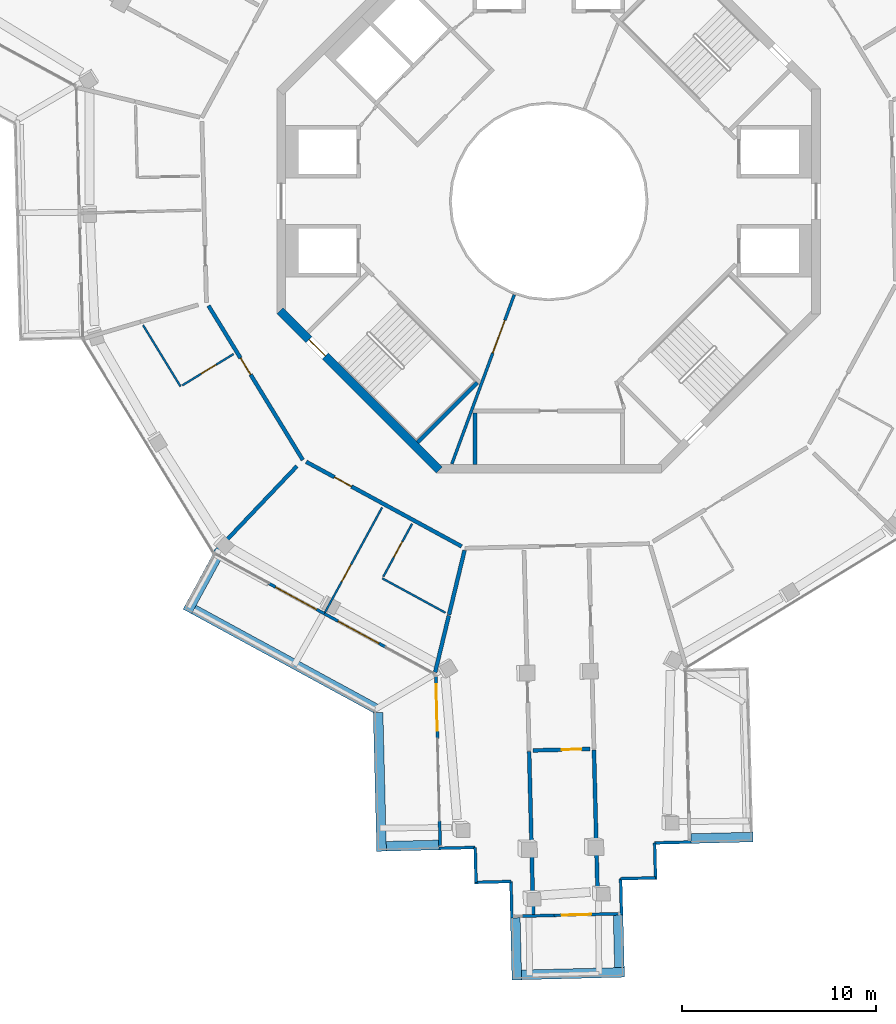
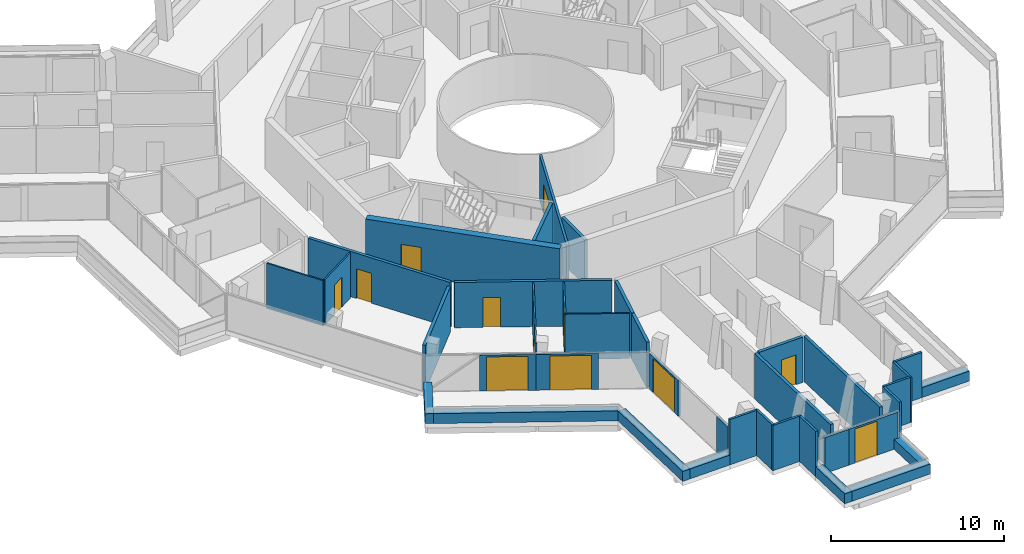
# One storey, part 18 of 26: 39 walls, 12 doors, 12 openings.
"""IFC4 building model written with IfcOpenShell, lengths in metres."""

from ifc_helpers import new_model, si_unit, direction, frame, frame_2d, origin, place, context, subcontext, project, spatial, rectangle, extrude, material, layer, layer_set, type_object, element, fill, save


model = new_model("IFC4")

# Units and contexts
model_context = context("Model", 3, precision=1e-05, world=origin(), true_north=direction((0.0, 1.0)))
body_context = subcontext(model_context, "Body", "Model", "MODEL_VIEW")
ifc_project = project(units=[si_unit("LENGTHUNIT", "METRE"), si_unit("AREAUNIT", "SQUARE_METRE"), si_unit("VOLUMEUNIT", "CUBIC_METRE"), si_unit("PLANEANGLEUNIT", "RADIAN"), si_unit("MASSUNIT", "GRAM", prefix="KILO")], contexts=[model_context])

# Site, building, storey
site_placement = place(None, origin())
site = spatial("IfcSite", under=ifc_project, at=site_placement, CompositionType="ELEMENT")
building_placement = place(site_placement, origin())
building = spatial("IfcBuilding", under=site, at=building_placement, Name="Verdalira Terraces Hotel", CompositionType="ELEMENT")
storey_placement = place(building_placement, frame((0.0, 0.0, 284.5)))
storey = spatial("IfcBuildingStorey", under=building, at=storey_placement, Name="L70", CompositionType="ELEMENT", Elevation=284.5)

# Walls
ifc_material_1 = material(Name="Concrete C40", Category="concrete")
ifc_layer_1 = layer(ifc_material_1, 0.5)
ifc_layer_set_1 = layer_set([ifc_layer_1], Name="Balcony planter trough with tree")
wall_type_1 = type_object("IfcWallType", Name="Balcony planter trough with tree", PredefinedType="SOLIDWALL", material=ifc_layer_set_1)
wall_1_placement = place(storey_placement, frame((-17.087402, -18.319336, 0.0), z_axis=(0.0, 0.0, 1.0), x_axis=(-0.478049873, -0.878332693, 0.0)))
element("IfcWall", 1, at=wall_1_placement, inside=storey, type_object=wall_type_1, Name="Balcony planter", PredefinedType="SOLIDWALL", context=body_context, shape_type="SweptSolid", body=[
    extrude(rectangle(XDim=3.198975, YDim=0.5, at=frame_2d((1.599609, 0.0))), origin(), (0.0, 0.0, 1.0), 0.699951),
])
wall_2_placement = place(storey_placement, frame((-18.277588, -21.029053, 0.0), z_axis=(0.0, 0.0, 1.0), x_axis=(0.878313905, -0.47808439, 0.0)))
element("IfcWall", 2, at=wall_2_placement, inside=storey, type_object=wall_type_1, Name="Balcony planter", PredefinedType="SOLIDWALL", context=body_context, shape_type="SweptSolid", body=[
    extrude(rectangle(XDim=10.652344, YDim=0.5, at=frame_2d((5.326172, 0.0))), origin(), (0.0, 0.0, 1.0), 0.699951),
])
wall_3_placement = place(storey_placement, frame((-8.791016, -26.335205, 0.0), z_axis=(0.0, 0.0, 1.0), x_axis=(0.025137254, -0.999684009, 0.0)))
element("IfcWall", 3, at=wall_3_placement, inside=storey, type_object=wall_type_1, Name="Balcony planter", PredefinedType="SOLIDWALL", context=body_context, shape_type="SweptSolid", body=[
    extrude(rectangle(XDim=7.148193, YDim=0.5, at=frame_2d((3.574219, 0.0))), origin(), (0.0, 0.0, 1.0), 0.699951),
])
wall_4_placement = place(storey_placement, frame((-8.367676, -33.224854, 0.0), z_axis=(0.0, 0.0, 1.0), x_axis=(0.999683793, 0.025145864, 0.0)))
element("IfcWall", 4, at=wall_4_placement, inside=storey, type_object=wall_type_1, Name="Balcony planter", PredefinedType="SOLIDWALL", context=body_context, shape_type="SweptSolid", body=[
    extrude(rectangle(XDim=2.698975, YDim=0.5, at=frame_2d((1.349609, 0.0))), origin(), (0.0, 0.0, 1.0), 0.699951),
])
wall_5_placement = place(storey_placement, frame((-1.7229, -36.910156, 0.0), z_axis=(0.0, 0.0, 1.0), x_axis=(0.025108503, -0.999684732, 0.0)))
element("IfcWall", 5, at=wall_5_placement, inside=storey, type_object=wall_type_1, Name="Balcony planter", PredefinedType="SOLIDWALL", context=body_context, shape_type="SweptSolid", body=[
    extrude(rectangle(XDim=3.198975, YDim=0.5, at=frame_2d((1.599609, 0.0))), origin(), (0.0, 0.0, 1.0), 0.699951),
])
wall_6_placement = place(storey_placement, frame((-1.398926, -39.851807, 0.0), z_axis=(0.0, 0.0, 1.0), x_axis=(0.99968482, 0.025104978, 0.0)))
element("IfcWall", 6, at=wall_6_placement, inside=storey, type_object=wall_type_1, Name="Balcony planter", PredefinedType="SOLIDWALL", context=body_context, shape_type="SweptSolid", body=[
    extrude(rectangle(XDim=5.300049, YDim=0.5, at=frame_2d((2.649902, 0.0))), origin(), (0.0, 0.0, 1.0), 0.699951),
])
wall_7_placement = place(storey_placement, frame((3.643066, -39.475098, 0.0), z_axis=(0.0, 0.0, 1.0), x_axis=(-0.025055469, 0.999686062, 0.0)))
element("IfcWall", 7, at=wall_7_placement, inside=storey, type_object=wall_type_1, Name="Balcony planter", PredefinedType="SOLIDWALL", context=body_context, shape_type="SweptSolid", body=[
    extrude(rectangle(XDim=2.698975, YDim=0.5, at=frame_2d((1.349609, 0.0))), origin(), (0.0, 0.0, 1.0), 0.699951),
])
wall_8_placement = place(storey_placement, frame((7.328369, -32.830322, 0.0), z_axis=(0.0, 0.0, 1.0), x_axis=(0.999684732, 0.025108503, 0.0)))
element("IfcWall", 8, at=wall_8_placement, inside=storey, type_object=wall_type_1, Name="Balcony planter", PredefinedType="SOLIDWALL", context=body_context, shape_type="SweptSolid", body=[
    extrude(rectangle(XDim=3.198975, YDim=0.5, at=frame_2d((1.599609, 0.0))), origin(), (0.0, 0.0, 1.0), 0.699951),
])
ifc_material_2 = material(Name="Moisture-resistant gypsum board partition")
ifc_layer_2 = layer(ifc_material_2, 0.10009765625)
ifc_layer_set_2 = layer_set([ifc_layer_2], Name="Bathroom partition 100 mm")
wall_type_2 = type_object("IfcWallType", Name="Bathroom partition 100 mm", PredefinedType="PARTITIONING", material=ifc_layer_set_2)
wall_9_placement = place(storey_placement, frame((-18.969238, -9.536133, 0.0), z_axis=(0.0, 0.0, 1.0), x_axis=(-0.521583314, 0.853200356, 0.0)))
element("IfcWall", 9, at=wall_9_placement, inside=storey, type_object=wall_type_2, Name="Bathroom partition", PredefinedType="PARTITIONING", context=body_context, shape_type="SweptSolid", body=[
    extrude(rectangle(XDim=3.703857, YDim=0.100098, at=frame_2d((1.852051, 0.0))), origin(), (0.0, 0.0, 1.0), 3.189941),
])

# Wall, opening, door
wall_10_placement = place(storey_placement, frame((-18.883789, -9.483887, 0.0), z_axis=(0.0, 0.0, 1.0), x_axis=(0.85318253, 0.521612471, 0.0)))
wall_10 = element("IfcWall", 10, at=wall_10_placement, inside=storey, type_object=wall_type_2, Name="Bathroom partition", PredefinedType="PARTITIONING", context=body_context, shape_type="SweptSolid", body=[
    extrude(rectangle(XDim=3.099854, YDim=0.100098, at=frame_2d((1.549805, 0.0))), origin(), (0.0, 0.0, 1.0), 3.189941),
])
opening_1_placement = place(wall_10_placement, frame((1.149902, 0.0, 0.0)))
opening_1 = element("IfcOpeningElement", 11, at=opening_1_placement, cuts=wall_10, Name="Opening L70-109", PredefinedType="OPENING", context=body_context, shape_type="SweptSolid", body=[
    extrude(rectangle(XDim=0.899902, YDim=2.100098, at=frame_2d((0.449951, 1.050049))), frame((0.0, 0.060059, 0.0), z_axis=(0.0, -1.0, 0.0), x_axis=(1.0, 0.0, 0.0)), (0.0, 0.0, 1.0), 0.120117),
])
ifc_material_3 = material(Name="Timber door", Category="wood")
door_type_1 = type_object("IfcDoorType", Name="Bathroom door 900 x 2100", OperationType="NOTDEFINED", PredefinedType="DOOR", material=ifc_material_3)
door_1_placement = place(opening_1_placement, origin())
door_1 = element("IfcDoor", 12, at=door_1_placement, inside=storey, type_object=door_type_1, Name="Bathroom door 7003", OperationType="SINGLE_SWING_LEFT", OverallHeight=2.10009765625, OverallWidth=0.89990234375, PredefinedType="DOOR", context=body_context, shape_type="SweptSolid", body=[
    extrude(rectangle(XDim=0.899902, YDim=2.100098, at=frame_2d((0.449951, 1.050049))), frame((0.0, 0.024902, 0.0), z_axis=(0.0, -1.0, 0.0), x_axis=(1.0, 0.0, 0.0)), (0.0, 0.0, 1.0), 0.050049),
])
fill(opening_1, door_1)

wall_11_placement = place(storey_placement, frame((-8.585449, -15.773193, 0.0), z_axis=(0.0, 0.0, 1.0), x_axis=(-0.478081504, -0.878315476, 0.0)))
wall_11 = element("IfcWall", 13, at=wall_11_placement, inside=storey, type_object=wall_type_2, Name="Bathroom partition", PredefinedType="PARTITIONING", context=body_context, shape_type="SweptSolid", body=[
    extrude(rectangle(XDim=6.149902, YDim=0.100098, at=frame_2d((3.074951, 0.0))), origin(), (0.0, 0.0, 1.0), 3.189941),
])
opening_2_placement = place(wall_11_placement, frame((3.350098, 0.0, 0.0)))
opening_2 = element("IfcOpeningElement", 14, at=opening_2_placement, cuts=wall_11, Name="Opening L70-111", PredefinedType="OPENING", context=body_context, shape_type="SweptSolid", body=[
    extrude(rectangle(XDim=1.0, YDim=2.100098, at=frame_2d((0.5, 1.050049))), frame((0.0, 0.060059, 0.0), z_axis=(0.0, -1.0, 0.0), x_axis=(1.0, 0.0, 0.0)), (0.0, 0.0, 1.0), 0.120117),
])
ifc_material_4 = material(Name="Timber door", Category="wood")
door_type_2 = type_object("IfcDoorType", Name="Suite internal door 1000 x 2100", OperationType="NOTDEFINED", PredefinedType="DOOR", material=ifc_material_4)
door_2_placement = place(opening_2_placement, origin())
door_2 = element("IfcDoor", 15, at=door_2_placement, inside=storey, type_object=door_type_2, Name="Suite internal door 7004", OperationType="SINGLE_SWING_LEFT", OverallHeight=2.10009765625, OverallWidth=1.0, PredefinedType="DOOR", context=body_context, shape_type="SweptSolid", body=[
    extrude(rectangle(XDim=1.0, YDim=2.100098, at=frame_2d((0.5, 1.050049))), frame((0.0, 0.024902, 0.0), z_axis=(0.0, -1.0, 0.0), x_axis=(1.0, 0.0, 0.0)), (0.0, 0.0, 1.0), 0.050049),
])
fill(opening_2, door_2)

wall_12_placement = place(storey_placement, frame((-7.041016, -16.61377, 0.0), z_axis=(0.0, 0.0, 1.0), x_axis=(-0.478129117, -0.878289558, 0.0)))
wall_12 = element("IfcWall", 16, at=wall_12_placement, inside=storey, type_object=wall_type_2, Name="Bathroom partition", PredefinedType="PARTITIONING", context=body_context, shape_type="SweptSolid", body=[
    extrude(rectangle(XDim=3.099854, YDim=0.100098, at=frame_2d((1.549805, 0.0))), origin(), (0.0, 0.0, 1.0), 3.189941),
])
opening_3_placement = place(wall_12_placement, frame((1.050049, 0.0, 0.0)))
opening_3 = element("IfcOpeningElement", 17, at=opening_3_placement, cuts=wall_12, Name="Opening L70-112", PredefinedType="OPENING", context=body_context, shape_type="SweptSolid", body=[
    extrude(rectangle(XDim=0.899902, YDim=2.100098, at=frame_2d((0.449951, 1.050049))), frame((0.0, 0.060059, 0.0), z_axis=(0.0, -1.0, 0.0), x_axis=(1.0, 0.0, 0.0)), (0.0, 0.0, 1.0), 0.120117),
])
door_3_placement = place(opening_3_placement, origin())
door_3 = element("IfcDoor", 18, at=door_3_placement, inside=storey, type_object=door_type_1, Name="Bathroom door 7004", OperationType="SINGLE_SWING_RIGHT", OverallHeight=2.10009765625, OverallWidth=0.89990234375, PredefinedType="DOOR", context=body_context, shape_type="SweptSolid", body=[
    extrude(rectangle(XDim=0.899902, YDim=2.100098, at=frame_2d((0.449951, 1.050049))), frame((0.0, 0.024902, 0.0), z_axis=(0.0, -1.0, 0.0), x_axis=(1.0, 0.0, 0.0)), (0.0, 0.0, 1.0), 0.050049),
])
fill(opening_3, door_3)

# Walls
wall_13_placement = place(storey_placement, frame((-8.571045, -19.424316, 0.0), z_axis=(0.0, 0.0, 1.0), x_axis=(0.878330978, -0.478053023, 0.0)))
element("IfcWall", 19, at=wall_13_placement, inside=storey, type_object=wall_type_2, Name="Bathroom partition", PredefinedType="PARTITIONING", context=body_context, shape_type="SweptSolid", body=[
    extrude(rectangle(XDim=3.704102, YDim=0.100098, at=frame_2d((1.852051, 0.0))), origin(), (0.0, 0.0, 1.0), 3.189941),
])
ifc_material_5 = material(Name="Concrete C50", Category="concrete")
ifc_layer_3 = layer(ifc_material_5, 0.199951171875)
ifc_layer_set_3 = layer_set([ifc_layer_3], Name="Core RC wall 200 C50")
wall_type_3 = type_object("IfcWallType", Name="Core RC wall 200 C50", PredefinedType="SOLIDWALL", material=ifc_layer_set_3)
wall_14_placement = place(storey_placement, frame((-3.800049, -10.899902, 0.0), z_axis=(0.0, 0.0, 1.0), x_axis=(0.0, -1.0, 0.0)))
element("IfcWall", 20, at=wall_14_placement, inside=storey, type_object=wall_type_3, Name="L70 store side wall", PredefinedType="SOLIDWALL", context=body_context, shape_type="SweptSolid", body=[
    extrude(rectangle(XDim=2.650146, YDim=0.199951, at=frame_2d((1.325195, 0.0))), origin(), (0.0, 0.0, 1.0), 3.189941),
])
wall_15_placement = place(storey_placement, frame((-3.677002, -9.33374, 0.0), z_axis=(0.0, 0.0, 1.0), x_axis=(-0.707106781, -0.707106781, 0.0)))
element("IfcWall", 21, at=wall_15_placement, inside=storey, type_object=wall_type_3, Name="L70 stair ST2 end wall 2", PredefinedType="SOLIDWALL", context=body_context, shape_type="SweptSolid", body=[
    extrude(rectangle(XDim=4.350098, YDim=0.199951, at=frame_2d((2.175049, 0.0))), origin(), (0.0, 0.0, 1.0), 3.189941),
])

# Wall, opening, door
ifc_material_6 = material(Name="Gypsum board partition")
ifc_layer_4 = layer(ifc_material_6, 0.14990234375)
ifc_layer_set_4 = layer_set([ifc_layer_4], Name="Core partition 150 mm")
wall_type_4 = type_object("IfcWallType", Name="Core partition 150 mm", PredefinedType="PARTITIONING", material=ifc_layer_set_4)
wall_16_placement = place(storey_placement, frame((-1.775635, -4.812988, 0.0), z_axis=(0.0, 0.0, 1.0), x_axis=(-0.346114844, -0.938192152, 0.0)))
wall_16 = element("IfcWall", 22, at=wall_16_placement, inside=storey, type_object=wall_type_4, Name="Gallery fire partition L70", PredefinedType="PARTITIONING", context=body_context, shape_type="SweptSolid", body=[
    extrude(rectangle(XDim=9.282715, YDim=0.149902, at=frame_2d((4.641357, 0.0))), origin(), (0.0, 0.0, 1.0), 3.189941),
])
opening_4_placement = place(wall_16_placement, frame((1.399902, 0.0, 0.0)))
opening_4 = element("IfcOpeningElement", 23, at=opening_4_placement, cuts=wall_16, Name="Opening L70-824", PredefinedType="OPENING", context=body_context, shape_type="SweptSolid", body=[
    extrude(rectangle(XDim=1.800049, YDim=2.100098, at=frame_2d((0.899902, 1.050049))), frame((0.0, 0.084961, 0.0), z_axis=(0.0, -1.0, 0.0), x_axis=(1.0, 0.0, 0.0)), (0.0, 0.0, 1.0), 0.169922),
])
ifc_material_7 = material(Name="Steel fire door", Category="steel")
door_type_3 = type_object("IfcDoorType", Name="Gallery fire door pair 1800 x 2100", OperationType="NOTDEFINED", PredefinedType="DOOR", material=ifc_material_7)
door_4_placement = place(opening_4_placement, origin())
door_4 = element("IfcDoor", 24, at=door_4_placement, inside=storey, type_object=door_type_3, Name="Door L70 split5", OperationType="DOUBLE_DOOR_SINGLE_SWING", OverallHeight=2.10009765625, OverallWidth=1.800048828125, PredefinedType="DOOR", context=body_context, shape_type="SweptSolid", body=[
    extrude(rectangle(XDim=1.800049, YDim=2.100098, at=frame_2d((0.899902, 1.050049))), frame((0.0, 0.024902, 0.0), z_axis=(0.0, -1.0, 0.0), x_axis=(1.0, 0.0, 0.0)), (0.0, 0.0, 1.0), 0.050049),
])
fill(opening_4, door_4)

ifc_material_8 = material(Name="Concrete C50", Category="concrete")
ifc_layer_5 = layer(ifc_material_8, 0.449951171875)
ifc_layer_set_5 = layer_set([ifc_layer_5], Name="Core wall 450 C50")
wall_type_5 = type_object("IfcWallType", Name="Core wall 450 C50", PredefinedType="SHEAR", material=ifc_layer_set_5)
wall_17_placement = place(storey_placement, frame((-13.84082, -5.639893, 0.0), z_axis=(0.0, 0.0, 1.0), x_axis=(0.707106781, -0.707106781, 0.0)))
wall_17 = element("IfcWall", 25, at=wall_17_placement, inside=storey, type_object=wall_type_5, Name="Core wall CW-L70-6", PredefinedType="SHEAR", context=body_context, shape_type="SweptSolid", body=[
    extrude(rectangle(XDim=11.5979, YDim=0.449951, at=frame_2d((5.798828, 0.0))), origin(), (0.0, 0.0, 1.0), 3.5),
])
opening_5_placement = place(wall_17_placement, frame((2.099121, 0.0, 0.0)))
opening_5 = element("IfcOpeningElement", 26, at=opening_5_placement, cuts=wall_17, Name="Opening L70-817", PredefinedType="OPENING", context=body_context, shape_type="SweptSolid", body=[
    extrude(rectangle(XDim=1.199951, YDim=2.100098, at=frame_2d((0.600098, 1.050049))), frame((0.0, 0.234863, 0.0), z_axis=(0.0, -1.0, 0.0), x_axis=(1.0, 0.0, 0.0)), (0.0, 0.0, 1.0), 0.469971),
])
ifc_material_9 = material(Name="Steel fire door", Category="steel")
door_type_4 = type_object("IfcDoorType", Name="Stair door 1200 x 2100", OperationType="NOTDEFINED", PredefinedType="DOOR", material=ifc_material_9)
door_5_placement = place(opening_5_placement, origin())
door_5 = element("IfcDoor", 27, at=door_5_placement, inside=storey, type_object=door_type_4, Name="Stair exit door ST2 L70", OperationType="SINGLE_SWING_LEFT", OverallHeight=2.10009765625, OverallWidth=1.199951171875, PredefinedType="DOOR", context=body_context, shape_type="SweptSolid", body=[
    extrude(rectangle(XDim=1.199951, YDim=2.100098, at=frame_2d((0.600098, 1.050049))), frame((0.0, 0.024902, 0.0), z_axis=(0.0, -1.0, 0.0), x_axis=(1.0, 0.0, 0.0)), (0.0, 0.0, 1.0), 0.050049),
])
fill(opening_5, door_5)

# Walls
ifc_material_10 = material(Name="Fire-rated gypsum board wall")
ifc_layer_6 = layer(ifc_material_10, 0.199951171875)
ifc_layer_set_6 = layer_set([ifc_layer_6], Name="Demising wall 200 mm")
wall_type_6 = type_object("IfcWallType", Name="Demising wall 200 mm", PredefinedType="SOLIDWALL", material=ifc_layer_set_6)
wall_18_placement = place(storey_placement, frame((-12.977295, -13.646729, 0.0), z_axis=(0.0, 0.0, 1.0), x_axis=(-0.689127097, -0.724640493, 0.0)))
element("IfcWall", 28, at=wall_18_placement, inside=storey, type_object=wall_type_6, Name="Demising wall", PredefinedType="SOLIDWALL", context=body_context, shape_type="SweptSolid", body=[
    extrude(rectangle(XDim=6.13208, YDim=0.199951, at=frame_2d((3.065918, 0.0))), origin(), (0.0, 0.0, 1.0), 3.189941),
])
wall_19_placement = place(storey_placement, frame((-5.853271, -24.268311, 0.0), z_axis=(0.0, 0.0, 1.0), x_axis=(0.234458255, 0.972126189, 0.0)))
element("IfcWall", 29, at=wall_19_placement, inside=storey, type_object=wall_type_6, Name="Demising wall", PredefinedType="SOLIDWALL", context=body_context, shape_type="SweptSolid", body=[
    extrude(rectangle(XDim=3.011475, YDim=0.199951, at=frame_2d((1.505859, 0.0))), origin(), (0.0, 0.0, 1.0), 3.189941),
])
wall_20_placement = place(storey_placement, frame((-5.13623, -21.296143, 0.0), z_axis=(0.0, 0.0, 1.0), x_axis=(0.234461345, 0.972125443, 0.0)))
element("IfcWall", 30, at=wall_20_placement, inside=storey, type_object=wall_type_6, Name="Demising wall", PredefinedType="SOLIDWALL", context=body_context, shape_type="SweptSolid", body=[
    extrude(rectangle(XDim=3.418457, YDim=0.199951, at=frame_2d((1.709229, 0.0))), origin(), (0.0, 0.0, 1.0), 3.189941),
])
wall_21_placement = place(storey_placement, frame((-1.008789, -28.340576, 0.0), z_axis=(0.0, 0.0, 1.0), x_axis=(0.025147631, -0.999683748, 0.0)))
element("IfcWall", 31, at=wall_21_placement, inside=storey, type_object=wall_type_6, Name="Demising wall", PredefinedType="SOLIDWALL", context=body_context, shape_type="SweptSolid", body=[
    extrude(rectangle(XDim=8.397705, YDim=0.199951, at=frame_2d((4.19873, 0.0))), origin(), (0.0, 0.0, 1.0), 3.189941),
])

# Wall, opening, door
wall_22_placement = place(storey_placement, frame((2.130371, -28.213623, 0.0), z_axis=(0.0, 0.0, 1.0), x_axis=(-0.999683694, -0.025149797, 0.0)))
wall_22 = element("IfcWall", 32, at=wall_22_placement, inside=storey, type_object=wall_type_6, Name="Demising wall", PredefinedType="SOLIDWALL", context=body_context, shape_type="SweptSolid", body=[
    extrude(rectangle(XDim=2.941406, YDim=0.199951, at=frame_2d((1.470703, 0.0))), origin(), (0.0, 0.0, 1.0), 3.189941),
])
opening_6_placement = place(wall_22_placement, frame((0.449951, 0.0, 0.0)))
opening_6 = element("IfcOpeningElement", 33, at=opening_6_placement, cuts=wall_22, Name="Opening L70-116", PredefinedType="OPENING", context=body_context, shape_type="SweptSolid", body=[
    extrude(rectangle(XDim=1.0, YDim=2.100098, at=frame_2d((0.5, 1.050049))), frame((0.0, 0.109863, 0.0), z_axis=(0.0, -1.0, 0.0), x_axis=(1.0, 0.0, 0.0)), (0.0, 0.0, 1.0), 0.219971),
])
ifc_material_11 = material(Name="Timber fire door", Category="wood")
door_type_5 = type_object("IfcDoorType", Name="Public room door 1000 x 2100", OperationType="NOTDEFINED", PredefinedType="DOOR", material=ifc_material_11)
door_6_placement = place(opening_6_placement, origin())
door_6 = element("IfcDoor", 34, at=door_6_placement, inside=storey, type_object=door_type_5, Name="Public room door 7005", OperationType="SINGLE_SWING_LEFT", OverallHeight=2.10009765625, OverallWidth=1.0, PredefinedType="DOOR", context=body_context, shape_type="SweptSolid", body=[
    extrude(rectangle(XDim=1.0, YDim=2.100098, at=frame_2d((0.5, 1.050049))), frame((0.0, 0.024902, 0.0), z_axis=(0.0, -1.0, 0.0), x_axis=(1.0, 0.0, 0.0)), (0.0, 0.0, 1.0), 0.050049),
])
fill(opening_6, door_6)

# Wall
wall_23_placement = place(storey_placement, frame((2.54248, -36.651855, 0.0), z_axis=(0.0, 0.0, 1.0), x_axis=(-0.0251469, 0.999683767, 0.0)))
element("IfcWall", 35, at=wall_23_placement, inside=storey, type_object=wall_type_6, Name="Demising wall", PredefinedType="SOLIDWALL", context=body_context, shape_type="SweptSolid", body=[
    extrude(rectangle(XDim=8.397949, YDim=0.199951, at=frame_2d((4.198975, 0.0))), origin(), (0.0, 0.0, 1.0), 3.189941),
])

# Wall, opening, door
ifc_material_12 = material(Name="Fire-rated gypsum board wall")
ifc_layer_7 = layer(ifc_material_12, 0.199951171875)
ifc_layer_set_7 = layer_set([ifc_layer_7], Name="Guest corridor wall 200 mm")
wall_type_7 = type_object("IfcWallType", Name="Guest corridor wall 200 mm", PredefinedType="SOLIDWALL", material=ifc_layer_set_7)
wall_24_placement = place(storey_placement, frame((-12.669189, -13.32251, 0.0), z_axis=(0.0, 0.0, 1.0), x_axis=(-0.521611117, 0.853183358, 0.0)))
wall_24 = element("IfcWall", 36, at=wall_24_placement, inside=storey, type_object=wall_type_7, Name="Guest corridor wall", PredefinedType="SOLIDWALL", context=body_context, shape_type="SweptSolid", body=[
    extrude(rectangle(XDim=9.31665, YDim=0.199951, at=frame_2d((4.658203, 0.0))), origin(), (0.0, 0.0, 1.0), 3.189941),
])
opening_7_placement = place(wall_24_placement, frame((5.149902, 0.0, 0.0)))
opening_7 = element("IfcOpeningElement", 37, at=opening_7_placement, cuts=wall_24, Name="Opening L70-108", PredefinedType="OPENING", context=body_context, shape_type="SweptSolid", body=[
    extrude(rectangle(XDim=1.0, YDim=2.100098, at=frame_2d((0.5, 1.050049))), frame((0.0, 0.109863, 0.0), z_axis=(0.0, -1.0, 0.0), x_axis=(1.0, 0.0, 0.0)), (0.0, 0.0, 1.0), 0.219971),
])
ifc_material_13 = material(Name="Timber fire door", Category="wood")
door_type_6 = type_object("IfcDoorType", Name="Guest entry door 1000 x 2100", OperationType="NOTDEFINED", PredefinedType="DOOR", material=ifc_material_13)
door_7_placement = place(opening_7_placement, origin())
door_7 = element("IfcDoor", 38, at=door_7_placement, inside=storey, type_object=door_type_6, Name="Guest entry door 7003", OperationType="SINGLE_SWING_LEFT", OverallHeight=2.10009765625, OverallWidth=1.0, PredefinedType="DOOR", context=body_context, shape_type="SweptSolid", body=[
    extrude(rectangle(XDim=1.0, YDim=2.100098, at=frame_2d((0.5, 1.050049))), frame((0.0, 0.024902, 0.0), z_axis=(0.0, -1.0, 0.0), x_axis=(1.0, 0.0, 0.0)), (0.0, 0.0, 1.0), 0.050049),
])
fill(opening_7, door_7)

wall_25_placement = place(storey_placement, frame((-4.486084, -17.776611, 0.0), z_axis=(0.0, 0.0, 1.0), x_axis=(-0.878320972, 0.478071407, 0.0)))
wall_25 = element("IfcWall", 39, at=wall_25_placement, inside=storey, type_object=wall_type_7, Name="Guest corridor wall", PredefinedType="SOLIDWALL", context=body_context, shape_type="SweptSolid", body=[
    extrude(rectangle(XDim=9.116699, YDim=0.199951, at=frame_2d((4.55835, 0.0))), origin(), (0.0, 0.0, 1.0), 3.189941),
])
opening_8_placement = place(wall_25_placement, frame((6.458252, 0.0, 0.0)))
opening_8 = element("IfcOpeningElement", 40, at=opening_8_placement, cuts=wall_25, Name="Opening L70-110", PredefinedType="OPENING", context=body_context, shape_type="SweptSolid", body=[
    extrude(rectangle(XDim=1.0, YDim=2.100098, at=frame_2d((0.5, 1.050049))), frame((0.0, 0.109863, 0.0), z_axis=(0.0, -1.0, 0.0), x_axis=(1.0, 0.0, 0.0)), (0.0, 0.0, 1.0), 0.219971),
])
door_8_placement = place(opening_8_placement, origin())
door_8 = element("IfcDoor", 41, at=door_8_placement, inside=storey, type_object=door_type_6, Name="Guest entry door 7004", OperationType="SINGLE_SWING_LEFT", OverallHeight=2.10009765625, OverallWidth=1.0, PredefinedType="DOOR", context=body_context, shape_type="SweptSolid", body=[
    extrude(rectangle(XDim=1.0, YDim=2.100098, at=frame_2d((0.5, 1.050049))), frame((0.0, 0.024902, 0.0), z_axis=(0.0, -1.0, 0.0), x_axis=(1.0, 0.0, 0.0)), (0.0, 0.0, 1.0), 0.050049),
])
fill(opening_8, door_8)

# Walls
ifc_material_14 = material(Name="Terracotta cladding", Category="masonry")
ifc_layer_8 = layer(ifc_material_14, 0.14990234375)
ifc_layer_set_8 = layer_set([ifc_layer_8], Name="Terracotta clad wall 150")
wall_type_8 = type_object("IfcWallType", Name="Terracotta clad wall 150", PredefinedType="SOLIDWALL", material=ifc_layer_set_8)
wall_26_placement = place(storey_placement, frame((-5.664062, -33.332031, 0.0), z_axis=(0.0, 0.0, 1.0), x_axis=(0.999684139, 0.025132088, 0.0)))
element("IfcWall", 42, at=wall_26_placement, inside=storey, type_object=wall_type_8, Name="Terracotta cladding wall", PredefinedType="SOLIDWALL", context=body_context, shape_type="SweptSolid", body=[
    extrude(rectangle(XDim=1.874756, YDim=0.149902, at=frame_2d((0.9375, 0.0))), origin(), (0.0, 0.0, 1.0), 3.189941),
])
wall_27_placement = place(storey_placement, frame((-3.789795, -33.284912, 0.0), z_axis=(0.0, 0.0, 1.0), x_axis=(0.025093859, -0.9996851, 0.0)))
element("IfcWall", 43, at=wall_27_placement, inside=storey, type_object=wall_type_8, Name="Terracotta cladding wall", PredefinedType="SOLIDWALL", context=body_context, shape_type="SweptSolid", body=[
    extrude(rectangle(XDim=1.799805, YDim=0.149902, at=frame_2d((0.899902, 0.0))), origin(), (0.0, 0.0, 1.0), 3.189941),
])
for number, where, z_axis, x_axis, name in (
    (44, (-3.81958, -35.086182, 0.0), (0.0, 0.0, 1.0), (0.999684221, 0.025128817, 0.0), "Terracotta cladding wall"),
    (45, (-1.945068, -35.039062, 0.0), (0.0, 0.0, 1.0), (0.025128817, -0.999684221, 0.0), "Terracotta cladding wall"),
    (46, (3.750244, -36.771484, 0.0), (0.0, 0.0, 1.0), (-0.025128817, 0.999684221, 0.0), "Terracotta cladding wall"),
):
    element("IfcWall", number, at=place(storey_placement, frame(where, z_axis=z_axis, x_axis=x_axis)), inside=storey, type_object=wall_type_8, Name=name, PredefinedType="SOLIDWALL", context=body_context, shape_type="SweptSolid", body=[
        extrude(rectangle(XDim=1.875, YDim=0.149902, at=frame_2d((0.9375, 0.0))), origin(), (0.0, 0.0, 1.0), 3.189941),
    ])
wall_28_placement = place(storey_placement, frame((3.703125, -34.896973, 0.0), z_axis=(0.0, 0.0, 1.0), x_axis=(0.999685185, 0.025090457, 0.0)))
element("IfcWall", 47, at=wall_28_placement, inside=storey, type_object=wall_type_8, Name="Terracotta cladding wall", PredefinedType="SOLIDWALL", context=body_context, shape_type="SweptSolid", body=[
    extrude(rectangle(XDim=1.800049, YDim=0.149902, at=frame_2d((0.899902, 0.0))), origin(), (0.0, 0.0, 1.0), 3.189941),
])
wall_29_placement = place(storey_placement, frame((5.504395, -34.926758, 0.0), z_axis=(0.0, 0.0, 1.0), x_axis=(-0.025132088, 0.999684139, 0.0)))
element("IfcWall", 48, at=wall_29_placement, inside=storey, type_object=wall_type_8, Name="Terracotta cladding wall", PredefinedType="SOLIDWALL", context=body_context, shape_type="SweptSolid", body=[
    extrude(rectangle(XDim=1.874756, YDim=0.149902, at=frame_2d((0.9375, 0.0))), origin(), (0.0, 0.0, 1.0), 3.189941),
])
wall_30_placement = place(storey_placement, frame((5.457275, -33.05249, 0.0), z_axis=(0.0, 0.0, 1.0), x_axis=(0.999684221, 0.025128817, 0.0)))
element("IfcWall", 49, at=wall_30_placement, inside=storey, type_object=wall_type_8, Name="Terracotta cladding wall", PredefinedType="SOLIDWALL", context=body_context, shape_type="SweptSolid", body=[
    extrude(rectangle(XDim=1.875, YDim=0.149902, at=frame_2d((0.9375, 0.0))), origin(), (0.0, 0.0, 1.0), 3.189941),
])
ifc_material_15 = material(Name="Terracotta cladding", Category="masonry")
ifc_layer_9 = layer(ifc_material_15, 0.14990234375)
ifc_layer_set_9 = layer_set([ifc_layer_9], Name="Terracotta column pier 150")
wall_type_9 = type_object("IfcWallType", Name="Terracotta column pier 150", PredefinedType="SOLIDWALL", material=ifc_layer_set_9)
wall_31_placement = place(storey_placement, frame((-5.624756, -31.915527, 0.0), z_axis=(0.0, 0.0, 1.0), x_axis=(0.025184317, -0.999682825, 0.0)))
element("IfcWall", 50, at=wall_31_placement, inside=storey, type_object=wall_type_9, Name="Terracotta column pier", PredefinedType="SOLIDWALL", context=body_context, shape_type="SweptSolid", body=[
    extrude(rectangle(XDim=1.27002, YDim=0.149902, at=frame_2d((0.63501, 0.0))), origin(), (0.0, 0.0, 1.0), 2.524902),
])
wall_32_placement = place(storey_placement, frame((-1.344971, -36.824463, 0.0), z_axis=(0.0, 0.0, 1.0), x_axis=(0.999687085, 0.025014645, 0.0)))
element("IfcWall", 51, at=wall_32_placement, inside=storey, type_object=wall_type_9, Name="Terracotta column pier", PredefinedType="SOLIDWALL", context=body_context, shape_type="SweptSolid", body=[
    extrude(rectangle(XDim=1.629883, YDim=0.149902, at=frame_2d((0.814941, 0.0))), origin(), (0.0, 0.0, 1.0), 2.524902),
])

# Wall, opening, door
ifc_material_16 = material(Name="Terracotta cladding", Category="masonry")
ifc_layer_10 = layer(ifc_material_16, 0.14990234375)
ifc_layer_set_10 = layer_set([ifc_layer_10], Name="Terracotta door pier 150")
wall_type_10 = type_object("IfcWallType", Name="Terracotta door pier 150", PredefinedType="SOLIDWALL", material=ifc_layer_set_10)
wall_33_placement = place(storey_placement, frame((-14.416016, -19.686768, 0.0), z_axis=(0.0, 0.0, 1.0), x_axis=(0.878288574, -0.478130925, 0.0)))
wall_33 = element("IfcWall", 52, at=wall_33_placement, inside=storey, type_object=wall_type_10, Name="Terracotta door pier", PredefinedType="SOLIDWALL", context=body_context, shape_type="SweptSolid", body=[
    extrude(rectangle(XDim=3.25, YDim=0.149902, at=frame_2d((1.625, 0.0))), origin(), (0.0, 0.0, 1.0), 2.524902),
])
opening_9_placement = place(wall_33_placement, frame((0.399902, 0.0, 0.0)))
opening_9 = element("IfcOpeningElement", 53, at=opening_9_placement, cuts=wall_33, Name="Opening L70-B06", PredefinedType="OPENING", context=body_context, shape_type="SweptSolid", body=[
    extrude(rectangle(XDim=2.399902, YDim=2.399902, at=frame_2d((1.199951, 1.199951))), frame((0.0, 0.084961, 0.0), z_axis=(0.0, -1.0, 0.0), x_axis=(1.0, 0.0, 0.0)), (0.0, 0.0, 1.0), 0.169922),
])
ifc_material_17 = material(Name="Clear glass", Category="glass")
door_type_7 = type_object("IfcDoorType", Name="Balcony sliding door 2400x2400", OperationType="NOTDEFINED", PredefinedType="DOOR", material=ifc_material_17)
door_9_placement = place(opening_9_placement, origin())
door_9 = element("IfcDoor", 54, at=door_9_placement, inside=storey, type_object=door_type_7, Name="Balcony sliding door", OperationType="SLIDING_TO_RIGHT", OverallHeight=2.39990234375, OverallWidth=2.39990234375, PredefinedType="DOOR", context=body_context, shape_type="SweptSolid", body=[
    extrude(rectangle(XDim=2.399902, YDim=2.399902, at=frame_2d((1.199951, 1.199951))), frame((0.0, 0.024902, 0.0), z_axis=(0.0, -1.0, 0.0), x_axis=(1.0, 0.0, 0.0)), (0.0, 0.0, 1.0), 0.050049),
])
fill(opening_9, door_9)

wall_34_placement = place(storey_placement, frame((-11.561523, -21.240723, 0.0), z_axis=(0.0, 0.0, 1.0), x_axis=(0.878337007, -0.478041947, 0.0)))
wall_34 = element("IfcWall", 55, at=wall_34_placement, inside=storey, type_object=wall_type_10, Name="Terracotta door pier", PredefinedType="SOLIDWALL", context=body_context, shape_type="SweptSolid", body=[
    extrude(rectangle(XDim=3.611328, YDim=0.149902, at=frame_2d((1.805664, 0.0))), origin(), (0.0, 0.0, 1.0), 2.524902),
])
opening_10_placement = place(wall_34_placement, frame((0.811279, 0.0, 0.0)))
opening_10 = element("IfcOpeningElement", 56, at=opening_10_placement, cuts=wall_34, Name="Opening L70-B07", PredefinedType="OPENING", context=body_context, shape_type="SweptSolid", body=[
    extrude(rectangle(XDim=2.399902, YDim=2.399902, at=frame_2d((1.199951, 1.199951))), frame((0.0, 0.084961, 0.0), z_axis=(0.0, -1.0, 0.0), x_axis=(1.0, 0.0, 0.0)), (0.0, 0.0, 1.0), 0.169922),
])
door_10_placement = place(opening_10_placement, origin())
door_10 = element("IfcDoor", 57, at=door_10_placement, inside=storey, type_object=door_type_7, Name="Balcony sliding door", OperationType="SLIDING_TO_LEFT", OverallHeight=2.39990234375, OverallWidth=2.39990234375, PredefinedType="DOOR", context=body_context, shape_type="SweptSolid", body=[
    extrude(rectangle(XDim=2.399902, YDim=2.399902, at=frame_2d((1.199951, 1.199951))), frame((0.0, 0.024902, 0.0), z_axis=(0.0, -1.0, 0.0), x_axis=(1.0, 0.0, 0.0)), (0.0, 0.0, 1.0), 0.050049),
])
fill(opening_10, door_10)

wall_35_placement = place(storey_placement, frame((-5.811523, -24.482178, 0.0), z_axis=(0.0, 0.0, 1.0), x_axis=(0.025100843, -0.999684924, 0.0)))
wall_35 = element("IfcWall", 58, at=wall_35_placement, inside=storey, type_object=wall_type_10, Name="Terracotta door pier", PredefinedType="SOLIDWALL", context=body_context, shape_type="SweptSolid", body=[
    extrude(rectangle(XDim=3.199951, YDim=0.149902, at=frame_2d((1.600098, 0.0))), origin(), (0.0, 0.0, 1.0), 2.524902),
])
opening_11_placement = place(wall_35_placement, frame((0.399902, 0.0, 0.0)))
opening_11 = element("IfcOpeningElement", 59, at=opening_11_placement, cuts=wall_35, Name="Opening L70-B08", PredefinedType="OPENING", context=body_context, shape_type="SweptSolid", body=[
    extrude(rectangle(XDim=2.399902, YDim=2.399902, at=frame_2d((1.199951, 1.199951))), frame((0.0, 0.084961, 0.0), z_axis=(0.0, -1.0, 0.0), x_axis=(1.0, 0.0, 0.0)), (0.0, 0.0, 1.0), 0.169922),
])
door_11_placement = place(opening_11_placement, origin())
door_11 = element("IfcDoor", 60, at=door_11_placement, inside=storey, type_object=door_type_7, Name="Balcony sliding door", OperationType="SLIDING_TO_LEFT", OverallHeight=2.39990234375, OverallWidth=2.39990234375, PredefinedType="DOOR", context=body_context, shape_type="SweptSolid", body=[
    extrude(rectangle(XDim=2.399902, YDim=2.399902, at=frame_2d((1.199951, 1.199951))), frame((0.0, 0.024902, 0.0), z_axis=(0.0, -1.0, 0.0), x_axis=(1.0, 0.0, 0.0)), (0.0, 0.0, 1.0), 0.050049),
])
fill(opening_11, door_11)

wall_36_placement = place(storey_placement, frame((0.284424, -36.783691, 0.0), z_axis=(0.0, 0.0, 1.0), x_axis=(0.999683672, 0.025150666, 0.0)))
wall_36 = element("IfcWall", 61, at=wall_36_placement, inside=storey, type_object=wall_type_10, Name="Terracotta door pier", PredefinedType="SOLIDWALL", context=body_context, shape_type="SweptSolid", body=[
    extrude(rectangle(XDim=3.310059, YDim=0.149902, at=frame_2d((1.655029, 0.0))), origin(), (0.0, 0.0, 1.0), 2.524902),
])
opening_12_placement = place(wall_36_placement, frame((0.399902, 0.0, 0.0)))
opening_12 = element("IfcOpeningElement", 62, at=opening_12_placement, cuts=wall_36, Name="Opening L70-B09", PredefinedType="OPENING", context=body_context, shape_type="SweptSolid", body=[
    extrude(rectangle(XDim=1.5, YDim=2.399902, at=frame_2d((0.75, 1.199951))), frame((0.0, 0.084961, 0.0), z_axis=(0.0, -1.0, 0.0), x_axis=(1.0, 0.0, 0.0)), (0.0, 0.0, 1.0), 0.169922),
])
ifc_material_18 = material(Name="Clear glass", Category="glass")
door_type_8 = type_object("IfcDoorType", Name="Balcony sliding door 1500x2400", OperationType="NOTDEFINED", PredefinedType="DOOR", material=ifc_material_18)
door_12_placement = place(opening_12_placement, origin())
door_12 = element("IfcDoor", 63, at=door_12_placement, inside=storey, type_object=door_type_8, Name="Balcony sliding door", OperationType="SLIDING_TO_RIGHT", OverallHeight=2.39990234375, OverallWidth=1.5, PredefinedType="DOOR", context=body_context, shape_type="SweptSolid", body=[
    extrude(rectangle(XDim=1.5, YDim=2.399902, at=frame_2d((0.75, 1.199951))), frame((0.0, 0.024902, 0.0), z_axis=(0.0, -1.0, 0.0), x_axis=(1.0, 0.0, 0.0)), (0.0, 0.0, 1.0), 0.050049),
])
fill(opening_12, door_12)

save(model, "model.ifc")
